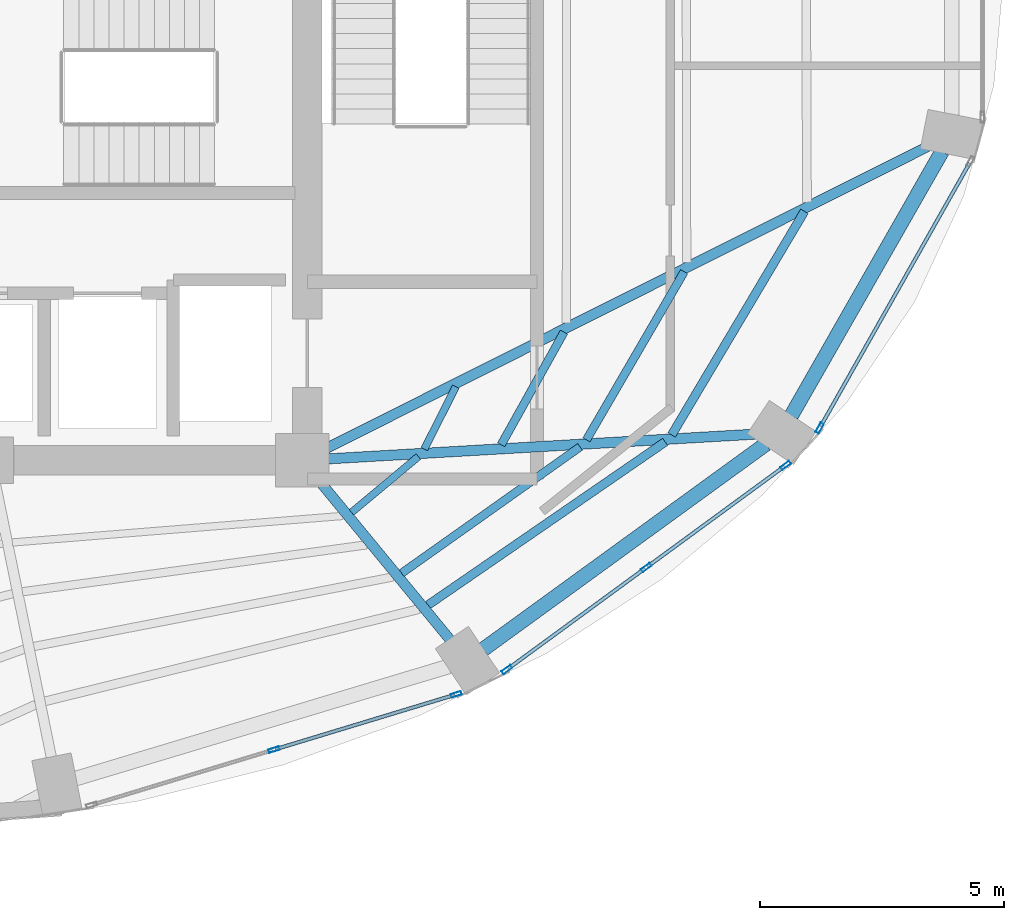
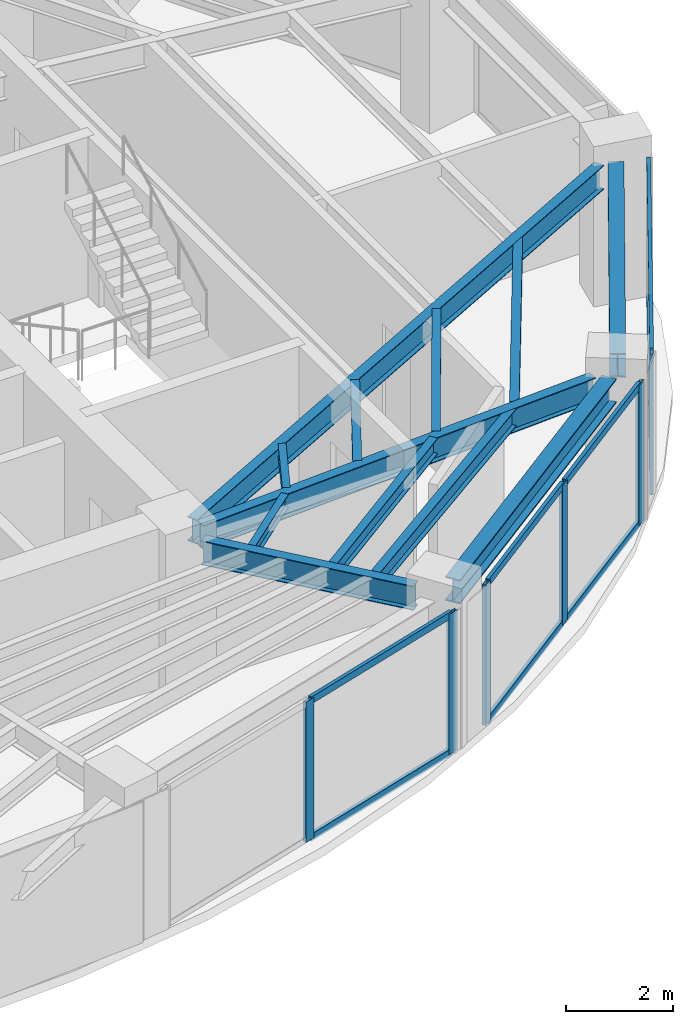
# One storey, part 9 of 20: 14 members, 12 beams, 3 elements without a shape of their own.
"""IFC4 building model written with IfcOpenShell, lengths in metres."""

from ifc_helpers import new_model, si_unit, direction, frame, origin, origin_2d, place, context, subcontext, project, spatial, hollow_rectangle, i_section, extrude, material, layer, layer_set, material_profile, profile_set, type_object, element, aggregate, save


model = new_model("IFC4")

# Units and contexts
model_context = context("Model", 3, precision=1e-05, world=origin(), true_north=direction((0.0, 1.0)))
body_context = subcontext(model_context, "Body", "Model", "MODEL_VIEW")
ifc_project = project(units=[si_unit("LENGTHUNIT", "METRE"), si_unit("AREAUNIT", "SQUARE_METRE"), si_unit("VOLUMEUNIT", "CUBIC_METRE"), si_unit("PLANEANGLEUNIT", "RADIAN"), si_unit("MASSUNIT", "GRAM", prefix="KILO")], contexts=[model_context])

# Site, building, storey
site_placement = place(None, origin())
site = spatial("IfcSite", under=ifc_project, at=site_placement, CompositionType="ELEMENT")
building_placement = place(site_placement, origin())
building = spatial("IfcBuilding", under=site, at=building_placement, Name="Lazwardi Medical Tower", CompositionType="ELEMENT")
storey_placement = place(building_placement, frame((0.0, 0.0, 185.7119140625)))
storey = spatial("IfcBuildingStorey", under=building, at=storey_placement, Name="L48", CompositionType="ELEMENT", Elevation=185.7119140625)

# Beams
ifc_material_1 = material(Name="Steel S355", Category="steel")
ifc_material_profile_1 = material_profile(ifc_material_1, i_section(OverallWidth=0.300048828125, OverallDepth=0.550048828125, WebThickness=0.014892578125, FlangeThickness=0.029052734375, at=origin_2d()), Name="HEB 550")
ifc_profile_set_1 = profile_set([ifc_material_profile_1], Name="Steel S355")
beam_type_1 = type_object("IfcBeamType", Name="BM-RB-Z3", PredefinedType="BEAM", material=ifc_profile_set_1)
beam_1_placement = place(storey_placement, frame((49.310302734375, 16.520751953125, 2.923095703125), z_axis=(0.809127570774, 0.587633026824, 0.0), x_axis=(-0.587633026824, 0.809127570774, 0.0)))
element("IfcBeam", 1, at=beam_1_placement, inside=storey, type_object=beam_type_1, Name="Ring beam RB-04 B02 L48", PredefinedType="BEAM", context=body_context, shape_type="SweptSolid", body=[
    extrude(i_section(OverallWidth=0.300048828125, OverallDepth=0.550048828125, WebThickness=0.014892578125, FlangeThickness=0.029052734375, at=origin_2d()), origin(), (0.0, 0.0, 1.0), 7.170166015625),
])
beam_2_placement = place(storey_placement, frame((55.6337890625, 21.316650390625, 2.923095703125), z_axis=(0.495477752551, 0.868620628771, 0.0), x_axis=(-0.868620628771, 0.495477752551, 0.0)))
element("IfcBeam", 2, at=beam_2_placement, inside=storey, type_object=beam_type_1, Name="Ring beam RB-04 B03 L48", PredefinedType="BEAM", context=body_context, shape_type="SweptSolid", body=[
    extrude(i_section(OverallWidth=0.300048828125, OverallDepth=0.550048828125, WebThickness=0.014892578125, FlangeThickness=0.029052734375, at=origin_2d()), origin(), (0.0, 0.0, 1.0), 6.244384765625),
])
ifc_material_profile_2 = material_profile(ifc_material_1, i_section(OverallWidth=0.2099609375, OverallDepth=0.550048828125, WebThickness=0.010986328125, FlangeThickness=0.01708984375, at=origin_2d()), Name="IPE 550")
ifc_profile_set_2 = profile_set([ifc_material_profile_2], Name="Steel S355")
beam_type_2 = type_object("IfcBeamType", Name="BM-RG-W2", PredefinedType="BEAM", material=ifc_profile_set_2)
beam_3_placement = place(storey_placement, frame((48.630615234375, 16.71826171875, 2.923095703125), z_axis=(-0.635555639966, 0.772055068312, 0.0), x_axis=(-0.772055068312, -0.635555639966, 0.0)))
element("IfcBeam", 3, at=beam_3_placement, inside=storey, type_object=beam_type_2, Name="Radial girder RG-03 R02 L48", PredefinedType="BEAM", context=body_context, shape_type="SweptSolid", body=[
    extrude(i_section(OverallWidth=0.2099609375, OverallDepth=0.550048828125, WebThickness=0.010986328125, FlangeThickness=0.01708984375, at=origin_2d()), origin(), (0.0, 0.0, 1.0), 4.233642578125),
])
beam_4_placement = place(storey_placement, frame((54.87646484375, 20.936767578125, 2.923095703125), z_axis=(-0.998330154646, -0.057765927014, 0.0), x_axis=(0.057765927014, -0.998330154646, 0.0)))
element("IfcBeam", 4, at=beam_4_placement, inside=storey, type_object=beam_type_2, Name="Radial girder RG-03 R03 L48", PredefinedType="BEAM", context=body_context, shape_type="SweptSolid", body=[
    extrude(i_section(OverallWidth=0.2099609375, OverallDepth=0.550048828125, WebThickness=0.010986328125, FlangeThickness=0.01708984375, at=origin_2d()), origin(), (0.0, 0.0, 1.0), 8.757080078125),
])
beam_5_placement = place(storey_placement, frame((58.42529296875, 26.837158203125, 2.923095703125), z_axis=(-0.893740468624, -0.448584412061, 0.0), x_axis=(0.448584412061, -0.893740468624, 0.0)))
element("IfcBeam", 5, at=beam_5_placement, inside=storey, type_object=beam_type_2, Name="Radial girder RG-03 R04 L48", PredefinedType="BEAM", context=body_context, shape_type="SweptSolid", body=[
    extrude(i_section(OverallWidth=0.2099609375, OverallDepth=0.550048828125, WebThickness=0.010986328125, FlangeThickness=0.01708984375, at=origin_2d()), origin(), (0.0, 0.0, 1.0), 13.815185546875),
])
ifc_material_profile_3 = material_profile(ifc_material_1, i_section(OverallWidth=0.179931640625, OverallDepth=0.39990234375, WebThickness=0.008544921875, FlangeThickness=0.013427734375, at=origin_2d()), Name="IPE 400")
ifc_profile_set_3 = profile_set([ifc_material_profile_3], Name="Steel S355")
beam_type_3 = type_object("IfcBeamType", Name="BM-SJ-01", PredefinedType="JOIST", material=ifc_profile_set_3)
beam_6_placement = place(storey_placement, frame((48.1748046875, 17.4287109375, 2.998046875), z_axis=(0.823932256005, 0.566688307198, 0.0), x_axis=(-0.566688307198, 0.823932256005, 0.0)))
element("IfcBeam", 6, at=beam_6_placement, inside=storey, type_object=beam_type_3, Name="Secondary joist SJ-01 R1 B02 L48", PredefinedType="JOIST", context=body_context, shape_type="SweptSolid", body=[
    extrude(i_section(OverallWidth=0.179931640625, OverallDepth=0.39990234375, WebThickness=0.008544921875, FlangeThickness=0.013427734375, at=origin_2d()), origin(), (0.0, 0.0, 1.0), 5.91162109375),
])
beam_7_placement = place(storey_placement, frame((53.17919921875, 20.921630859375, 2.998046875), z_axis=(0.510569396963, 0.859836548935, 0.0), x_axis=(-0.859836548935, 0.510569396963, 0.0)))
element("IfcBeam", 7, at=beam_7_placement, inside=storey, type_object=beam_type_3, Name="Secondary joist SJ-01 R1 B03 L48", PredefinedType="JOIST", context=body_context, shape_type="SweptSolid", body=[
    extrude(i_section(OverallWidth=0.179931640625, OverallDepth=0.39990234375, WebThickness=0.008544921875, FlangeThickness=0.013427734375, at=origin_2d()), origin(), (0.0, 0.0, 1.0), 5.33837890625),
])
ifc_material_profile_4 = material_profile(ifc_material_1, i_section(OverallWidth=0.169921875, OverallDepth=0.360107421875, WebThickness=0.008056640625, FlangeThickness=0.0126953125, at=origin_2d()), Name="IPE 360")
ifc_profile_set_4 = profile_set([ifc_material_profile_4], Name="Steel S355")
beam_type_4 = type_object("IfcBeamType", Name="BM-SJ-02", PredefinedType="JOIST", material=ifc_profile_set_4)
beam_8_placement = place(storey_placement, frame((47.635986328125, 18.08349609375, 3.01806640625), z_axis=(0.816108950798, 0.577898070967, 0.0), x_axis=(-0.577898070967, 0.816108950798, 0.0)))
element("IfcBeam", 8, at=beam_8_placement, inside=storey, type_object=beam_type_4, Name="Secondary joist SJ-02 R2 B02 L48", PredefinedType="JOIST", context=body_context, shape_type="SweptSolid", body=[
    extrude(i_section(OverallWidth=0.169921875, OverallDepth=0.360107421875, WebThickness=0.008056640625, FlangeThickness=0.0126953125, at=origin_2d()), origin(), (0.0, 0.0, 1.0), 4.487060546875),
])
beam_9_placement = place(storey_placement, frame((51.4296875, 20.82080078125, 3.01806640625), z_axis=(0.502665102216, 0.864481228839, 0.0), x_axis=(-0.864481228839, 0.502665102216, 0.0)))
element("IfcBeam", 9, at=beam_9_placement, inside=storey, type_object=beam_type_4, Name="Secondary joist SJ-02 R2 B03 L48", PredefinedType="JOIST", context=body_context, shape_type="SweptSolid", body=[
    extrude(i_section(OverallWidth=0.169921875, OverallDepth=0.360107421875, WebThickness=0.008056640625, FlangeThickness=0.0126953125, at=origin_2d()), origin(), (0.0, 0.0, 1.0), 3.991943359375),
])
beam_10_placement = place(storey_placement, frame((49.6796875, 20.720703125, 3.01806640625), z_axis=(0.487099444348, 0.87334651274, 0.0), x_axis=(-0.87334651274, 0.487099444348, 0.0)))
element("IfcBeam", 10, at=beam_10_placement, inside=storey, type_object=beam_type_4, Name="Secondary joist SJ-02 R3 B03 L48", PredefinedType="JOIST", context=body_context, shape_type="SweptSolid", body=[
    extrude(i_section(OverallWidth=0.169921875, OverallDepth=0.360107421875, WebThickness=0.008056640625, FlangeThickness=0.0126953125, at=origin_2d()), origin(), (0.0, 0.0, 1.0), 2.64599609375),
])
ifc_material_profile_5 = material_profile(ifc_material_1, i_section(OverallWidth=0.14990234375, OverallDepth=0.300048828125, WebThickness=0.007080078125, FlangeThickness=0.0107421875, at=origin_2d()), Name="IPE 300")
ifc_profile_set_5 = profile_set([ifc_material_profile_5], Name="Steel S355")
beam_type_5 = type_object("IfcBeamType", Name="BM-SJ-03", PredefinedType="JOIST", material=ifc_profile_set_5)
beam_11_placement = place(storey_placement, frame((46.608642578125, 19.331787109375, 3.048095703125), z_axis=(0.767437193893, 0.641124132621, 0.0), x_axis=(-0.641124132621, 0.767437193893, 0.0)))
element("IfcBeam", 11, at=beam_11_placement, inside=storey, type_object=beam_type_5, Name="Secondary joist SJ-03 R4 B02 L48", PredefinedType="JOIST", context=body_context, shape_type="SweptSolid", body=[
    extrude(i_section(OverallWidth=0.14990234375, OverallDepth=0.300048828125, WebThickness=0.007080078125, FlangeThickness=0.0107421875, at=origin_2d()), origin(), (0.0, 0.0, 1.0), 1.787841796875),
])
beam_12_placement = place(storey_placement, frame((48.1025390625, 20.631591796875, 3.048095703125), z_axis=(0.450406075332, 0.892823816497, 0.0), x_axis=(-0.892823816497, 0.450406075332, 0.0)))
element("IfcBeam", 12, at=beam_12_placement, inside=storey, type_object=beam_type_5, Name="Secondary joist SJ-03 R4 B03 L48", PredefinedType="JOIST", context=body_context, shape_type="SweptSolid", body=[
    extrude(i_section(OverallWidth=0.14990234375, OverallDepth=0.300048828125, WebThickness=0.007080078125, FlangeThickness=0.0107421875, at=origin_2d()), origin(), (0.0, 0.0, 1.0), 1.4365234375),
])

# Curtain wall, members
ifc_material_2 = material(Name="Anodised bronze aluminium and solar control glazing", Category="aluminium")
ifc_layer = layer(ifc_material_2, 0.195068359375)
ifc_layer_set = layer_set([ifc_layer], Name="Anodised bronze aluminium and solar control glazing")
curtain_wall_type = type_object("IfcCurtainWallType", Name="CW-SYS-03", PredefinedType="NOTDEFINED", material=ifc_layer_set)
curtain_wall_1_placement = place(storey_placement, origin())
curtain_wall_1 = element("IfcCurtainWall", 13, at=curtain_wall_1_placement, inside=storey, type_object=curtain_wall_type, Name="L48 Unitised bronze curtain wall CW-03", PredefinedType="NOTDEFINED")
ifc_material_3 = material(Name="Anodised bronze aluminium", Category="aluminium")
ifc_material_profile_6 = material_profile(ifc_material_3, hollow_rectangle(XDim=0.074951171875, YDim=0.219970703125, WallThickness=0.00390625, at=origin_2d()), Name="ALU-MULLION 220x75x4")
ifc_profile_set_6 = profile_set([ifc_material_profile_6], Name="Anodised bronze aluminium")
member_type_1 = type_object("IfcMemberType", Name="CW-MUL-01", PredefinedType="MULLION", material=ifc_profile_set_6)
member_1_placement = place(storey_placement, frame((45.01513671875, 14.461181640625, 0.0), z_axis=(0.0, 0.0, 1.0), x_axis=(-0.290280785441, 0.956941516292, 0.0)))
member_1 = element("IfcMember", 14, at=member_1_placement, type_object=member_type_1, Name="CW-03 mullion 2", PredefinedType="MULLION", context=body_context, shape_type="SweptSolid", body=[
    extrude(hollow_rectangle(XDim=0.074951171875, YDim=0.219970703125, WallThickness=0.00390625, at=origin_2d()), origin(), (0.0, 0.0, 1.0), 3.197998046875),
])
member_2_placement = place(storey_placement, frame((48.758056640625, 15.5966796875, 0.0), z_axis=(0.0, 0.0, 1.0), x_axis=(-0.290280785441, 0.956941516292, 0.0)))
member_2 = element("IfcMember", 15, at=member_2_placement, type_object=member_type_1, Name="CW-03 mullion 3", PredefinedType="MULLION", context=body_context, shape_type="SweptSolid", body=[
    extrude(hollow_rectangle(XDim=0.074951171875, YDim=0.219970703125, WallThickness=0.00390625, at=origin_2d()), origin(), (0.0, 0.0, 1.0), 3.197998046875),
])

curtain_wall_2_placement = place(storey_placement, origin())
curtain_wall_2 = element("IfcCurtainWall", 16, at=curtain_wall_2_placement, inside=storey, type_object=curtain_wall_type, Name="L48 Unitised bronze curtain wall CW-03", PredefinedType="NOTDEFINED")
member_3_placement = place(storey_placement, frame((49.795654296875, 16.105224609375, 0.0), z_axis=(0.0, 0.0, 1.0), x_axis=(-0.590833862635, 0.806793249082, 0.0)))
member_3 = element("IfcMember", 17, at=member_3_placement, type_object=member_type_1, Name="CW-03 mullion 1", PredefinedType="MULLION", context=body_context, shape_type="SweptSolid", body=[
    extrude(hollow_rectangle(XDim=0.074951171875, YDim=0.219970703125, WallThickness=0.00390625, at=origin_2d()), origin(), (0.0, 0.0, 1.0), 3.197998046875),
])
member_4_placement = place(storey_placement, frame((52.65771484375, 18.201171875, 0.0), z_axis=(0.0, 0.0, 1.0), x_axis=(-0.590833862635, 0.806793249082, 0.0)))
member_4 = element("IfcMember", 18, at=member_4_placement, type_object=member_type_1, Name="CW-03 mullion 2", PredefinedType="MULLION", context=body_context, shape_type="SweptSolid", body=[
    extrude(hollow_rectangle(XDim=0.074951171875, YDim=0.219970703125, WallThickness=0.00390625, at=origin_2d()), origin(), (0.0, 0.0, 1.0), 3.197998046875),
])
member_5_placement = place(storey_placement, frame((55.519775390625, 20.297119140625, 0.0), z_axis=(0.0, 0.0, 1.0), x_axis=(-0.590833862635, 0.806793249082, 0.0)))
member_5 = element("IfcMember", 19, at=member_5_placement, type_object=member_type_1, Name="CW-03 mullion 3", PredefinedType="MULLION", context=body_context, shape_type="SweptSolid", body=[
    extrude(hollow_rectangle(XDim=0.074951171875, YDim=0.219970703125, WallThickness=0.00390625, at=origin_2d()), origin(), (0.0, 0.0, 1.0), 3.197998046875),
])

# Curtain wall, member
curtain_wall_3_placement = place(storey_placement, origin())
curtain_wall_3 = element("IfcCurtainWall", 20, at=curtain_wall_3_placement, inside=storey, type_object=curtain_wall_type, Name="L48 Unitised bronze curtain wall CW-03", PredefinedType="NOTDEFINED")
member_6_placement = place(storey_placement, frame((56.217529296875, 21.063232421875, 0.0), z_axis=(0.0, 0.0, 1.0), x_axis=(-0.870418989303, 0.492311672683, 0.0)))
member_6 = element("IfcMember", 21, at=member_6_placement, type_object=member_type_1, Name="CW-03 mullion 1", PredefinedType="MULLION", context=body_context, shape_type="SweptSolid", body=[
    extrude(hollow_rectangle(XDim=0.074951171875, YDim=0.219970703125, WallThickness=0.00390625, at=origin_2d()), origin(), (0.0, 0.0, 1.0), 3.197998046875),
])

# Member
ifc_material_profile_7 = material_profile(ifc_material_3, hollow_rectangle(XDim=0.074951171875, YDim=0.159912109375, WallThickness=0.00390625, at=origin_2d()), Name="ALU-TRANSOM 160x75x4")
ifc_profile_set_7 = profile_set([ifc_material_profile_7], Name="Anodised bronze aluminium")
member_type_2 = type_object("IfcMemberType", Name="CW-TRN-01", PredefinedType="USERDEFINED", material=ifc_profile_set_7)
member_7_placement = place(storey_placement, frame((45.051025390625, 14.47216796875, 0.03759765625), z_axis=(0.956930154175, 0.290318239233, 0.0), x_axis=(-0.290318239233, 0.956930154175, 0.0)))
member_7 = element("IfcMember", 22, at=member_7_placement, type_object=member_type_2, Name="CW-03 transom 2.1", ObjectType="TRANSOM", PredefinedType="USERDEFINED", context=body_context, shape_type="SweptSolid", body=[
    extrude(hollow_rectangle(XDim=0.074951171875, YDim=0.159912109375, WallThickness=0.00390625, at=origin_2d()), origin(), (0.0, 0.0, 1.0), 3.83642578125),
])

member_8_placement = place(storey_placement, frame((45.051025390625, 14.47216796875, 3.16064453125), z_axis=(0.956930154175, 0.290318239233, 0.0), x_axis=(-0.290318239233, 0.956930154175, 0.0)))
member_8 = element("IfcMember", 23, at=member_8_placement, type_object=member_type_2, Name="CW-03 transom 2.2", ObjectType="TRANSOM", PredefinedType="USERDEFINED", context=body_context, shape_type="SweptSolid", body=[
    extrude(hollow_rectangle(XDim=0.074951171875, YDim=0.159912109375, WallThickness=0.00390625, at=origin_2d()), origin(), (0.0, 0.0, 1.0), 3.83642578125),
])

aggregate(curtain_wall_1, [member_1, member_2, member_7, member_8])

member_9_placement = place(storey_placement, frame((49.825927734375, 16.127197265625, 0.03759765625), z_axis=(0.806773646358, 0.590860629542, 0.0), x_axis=(-0.590860629542, 0.806773646358, 0.0)))
member_9 = element("IfcMember", 24, at=member_9_placement, type_object=member_type_2, Name="CW-03 transom 1.1", ObjectType="TRANSOM", PredefinedType="USERDEFINED", context=body_context, shape_type="SweptSolid", body=[
    extrude(hollow_rectangle(XDim=0.074951171875, YDim=0.159912109375, WallThickness=0.00390625, at=origin_2d()), origin(), (0.0, 0.0, 1.0), 3.472412109375),
])

member_10_placement = place(storey_placement, frame((49.825927734375, 16.127197265625, 3.16064453125), z_axis=(0.806773646358, 0.590860629542, 0.0), x_axis=(-0.590860629542, 0.806773646358, 0.0)))
member_10 = element("IfcMember", 25, at=member_10_placement, type_object=member_type_2, Name="CW-03 transom 1.2", ObjectType="TRANSOM", PredefinedType="USERDEFINED", context=body_context, shape_type="SweptSolid", body=[
    extrude(hollow_rectangle(XDim=0.074951171875, YDim=0.159912109375, WallThickness=0.00390625, at=origin_2d()), origin(), (0.0, 0.0, 1.0), 3.472412109375),
])

member_11_placement = place(storey_placement, frame((52.68798828125, 18.22314453125, 0.03759765625), z_axis=(0.806773646358, 0.590860629542, 0.0), x_axis=(-0.590860629542, 0.806773646358, 0.0)))
member_11 = element("IfcMember", 26, at=member_11_placement, type_object=member_type_2, Name="CW-03 transom 2.1", ObjectType="TRANSOM", PredefinedType="USERDEFINED", context=body_context, shape_type="SweptSolid", body=[
    extrude(hollow_rectangle(XDim=0.074951171875, YDim=0.159912109375, WallThickness=0.00390625, at=origin_2d()), origin(), (0.0, 0.0, 1.0), 3.472412109375),
])

member_12_placement = place(storey_placement, frame((52.68798828125, 18.22314453125, 3.16064453125), z_axis=(0.806773646358, 0.590860629542, 0.0), x_axis=(-0.590860629542, 0.806773646358, 0.0)))
member_12 = element("IfcMember", 27, at=member_12_placement, type_object=member_type_2, Name="CW-03 transom 2.2", ObjectType="TRANSOM", PredefinedType="USERDEFINED", context=body_context, shape_type="SweptSolid", body=[
    extrude(hollow_rectangle(XDim=0.074951171875, YDim=0.159912109375, WallThickness=0.00390625, at=origin_2d()), origin(), (0.0, 0.0, 1.0), 3.472412109375),
])

aggregate(curtain_wall_2, [member_3, member_4, member_5, member_9, member_10, member_11, member_12])

member_13_placement = place(storey_placement, frame((56.236083984375, 21.095947265625, 0.03759765625), z_axis=(0.492322860598, 0.870412661289, 0.0), x_axis=(-0.870412661289, 0.492322860598, 0.0)))
member_13 = element("IfcMember", 28, at=member_13_placement, type_object=member_type_2, Name="CW-03 transom 1.1", ObjectType="TRANSOM", PredefinedType="USERDEFINED", context=body_context, shape_type="SweptSolid", body=[
    extrude(hollow_rectangle(XDim=0.074951171875, YDim=0.159912109375, WallThickness=0.00390625, at=origin_2d()), origin(), (0.0, 0.0, 1.0), 6.20849609375),
])

member_14_placement = place(storey_placement, frame((56.236083984375, 21.095947265625, 3.16064453125), z_axis=(0.492322860598, 0.870412661289, 0.0), x_axis=(-0.870412661289, 0.492322860598, 0.0)))
member_14 = element("IfcMember", 29, at=member_14_placement, type_object=member_type_2, Name="CW-03 transom 1.2", ObjectType="TRANSOM", PredefinedType="USERDEFINED", context=body_context, shape_type="SweptSolid", body=[
    extrude(hollow_rectangle(XDim=0.074951171875, YDim=0.159912109375, WallThickness=0.00390625, at=origin_2d()), origin(), (0.0, 0.0, 1.0), 6.20849609375),
])

aggregate(curtain_wall_3, [member_6, member_13, member_14])

save(model, "model.ifc")
